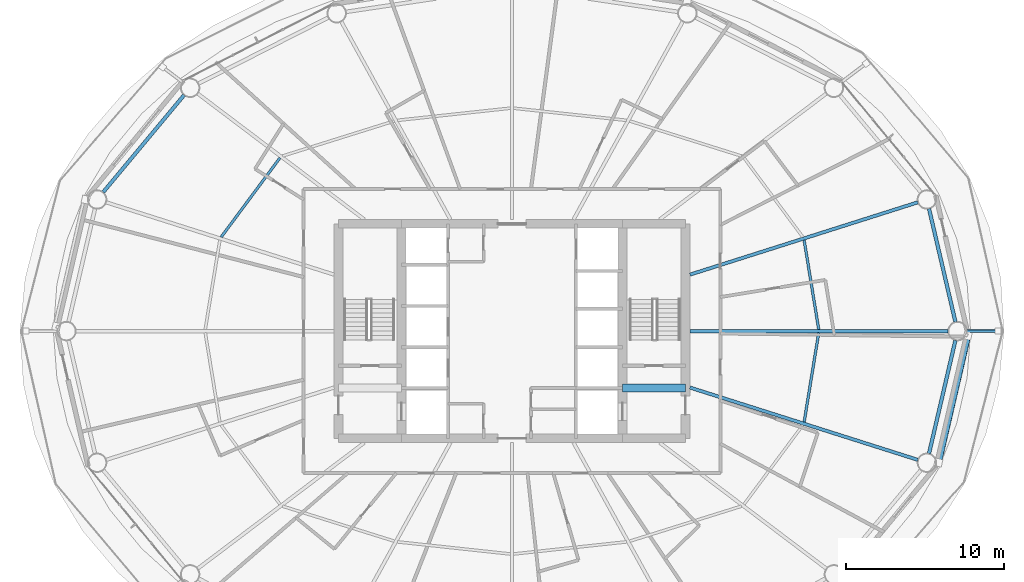
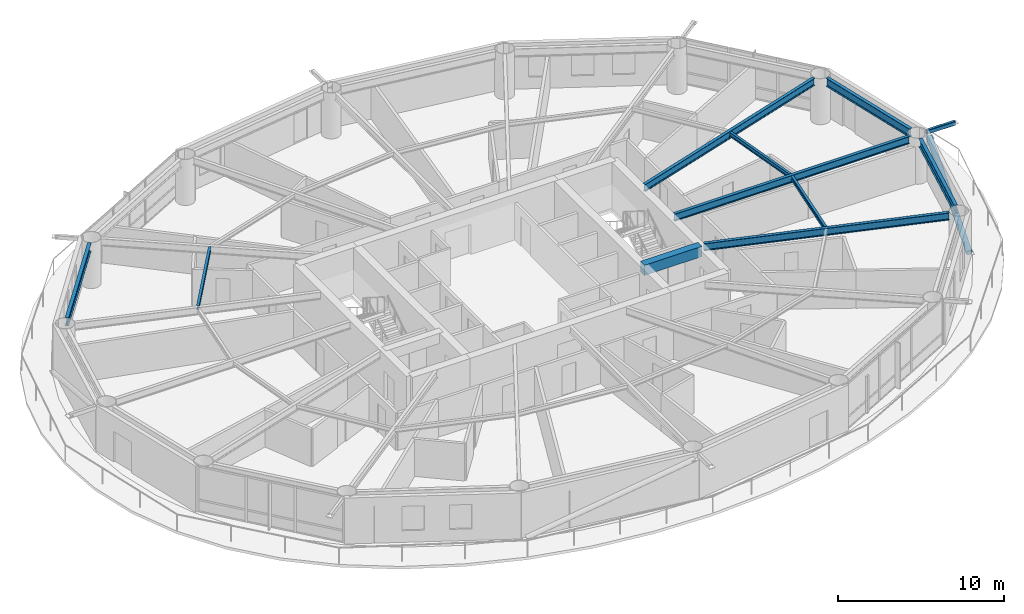
# One storey, part 7 of 24: 10 beams, 2 members.
"""IFC4 building model written with IfcOpenShell, lengths in metres."""

from ifc_helpers import new_model, si_unit, direction, frame, origin, origin_2d, place, context, subcontext, project, spatial, rectangle, hollow_rectangle, hollow_circle, i_section, extrude, material, material_profile, profile_set, type_object, element, save


model = new_model("IFC4")

# Units and contexts
model_context = context("Model", 3, precision=1e-05, world=origin(), true_north=direction((0.0, 1.0)))
body_context = subcontext(model_context, "Body", "Model", "MODEL_VIEW")
ifc_project = project(units=[si_unit("LENGTHUNIT", "METRE"), si_unit("AREAUNIT", "SQUARE_METRE"), si_unit("VOLUMEUNIT", "CUBIC_METRE"), si_unit("PLANEANGLEUNIT", "RADIAN"), si_unit("MASSUNIT", "GRAM", prefix="KILO")], contexts=[model_context])

# Site, building, storey
site_placement = place(None, origin())
site = spatial("IfcSite", under=ifc_project, at=site_placement, CompositionType="ELEMENT")
building_placement = place(site_placement, origin())
building = spatial("IfcBuilding", under=site, at=building_placement, Name="Sarneth Arch Tower", CompositionType="ELEMENT")
storey_placement = place(building_placement, frame((0.0, 0.0, 105.60009765625)))
storey = spatial("IfcBuildingStorey", under=building, at=storey_placement, Name="L26", CompositionType="ELEMENT", Elevation=105.60009765625)

# Beams
ifc_material_1 = material(Name="Steel S355", Category="steel")
ifc_material_profile_1 = material_profile(ifc_material_1, i_section(OverallWidth=0.1669921875, OverallDepth=0.31689453125, WebThickness=0.007568359375, FlangeThickness=0.01318359375, FilletRadius=0.012939453125, at=origin_2d()), Name="W310x52")
ifc_profile_set_1 = profile_set([ifc_material_profile_1], Name="Steel S355")
beam_type_1 = type_object("IfcBeamType", Name="BM-JOIST-310B", PredefinedType="JOIST", material=ifc_profile_set_1)
beam_1_placement = place(storey_placement, frame((67.438720703125, 42.10400390625, 3.221435546875), z_axis=(-0.16118181609, 0.986924729735, 0.0), x_axis=(-0.986924729735, -0.16118181609, 0.0)))
element("IfcBeam", 1, at=beam_1_placement, inside=storey, type_object=beam_type_1, Name="L26 Secondary floor joist 01", PredefinedType="JOIST", context=body_context, shape_type="SweptSolid", body=[
    extrude(i_section(OverallWidth=0.1669921875, OverallDepth=0.31689453125, WebThickness=0.007568359375, FlangeThickness=0.01318359375, FilletRadius=0.012939453125, at=origin_2d()), origin(), (0.0, 0.0, 1.0), 5.736083984375),
])
beam_2_placement = place(storey_placement, frame((33.296630859375, 52.9794921875, 3.221435546875), z_axis=(-0.596098474255, -0.802911333206, 0.0), x_axis=(0.802911333206, -0.596098474255, 0.0)))
element("IfcBeam", 2, at=beam_2_placement, inside=storey, type_object=beam_type_1, Name="L26 Secondary floor joist 07", PredefinedType="JOIST", context=body_context, shape_type="SweptSolid", body=[
    extrude(i_section(OverallWidth=0.1669921875, OverallDepth=0.31689453125, WebThickness=0.007568359375, FlangeThickness=0.01318359375, FilletRadius=0.012939453125, at=origin_2d()), origin(), (0.0, 0.0, 1.0), 6.259033203125),
])
beam_3_placement = place(storey_placement, frame((66.51416015625, 36.23486328125, 3.221435546875), z_axis=(0.16118181609, 0.986924729735, 0.0), x_axis=(-0.986924729735, 0.16118181609, 0.0)))
element("IfcBeam", 3, at=beam_3_placement, inside=storey, type_object=beam_type_1, Name="L26 Secondary floor joist 16", PredefinedType="JOIST", context=body_context, shape_type="SweptSolid", body=[
    extrude(i_section(OverallWidth=0.1669921875, OverallDepth=0.31689453125, WebThickness=0.007568359375, FlangeThickness=0.01318359375, FilletRadius=0.012939453125, at=origin_2d()), origin(), (0.0, 0.0, 1.0), 5.736083984375),
])
ifc_material_2 = material(Name="Concrete C50/60", Category="concrete")
ifc_material_profile_2 = material_profile(ifc_material_2, rectangle(XDim=0.5, YDim=0.75, at=origin_2d()), Name="RC-500x750")
ifc_profile_set_2 = profile_set([ifc_material_profile_2], Name="Concrete C50/60")
beam_type_2 = type_object("IfcBeamType", Name="BM-LINTEL-RC", PredefinedType="LINTEL", material=ifc_profile_set_2)
beam_4_placement = place(storey_placement, frame((55.0, 38.39990234375, 3.0048828125), z_axis=(1.0, 0.0, 0.0), x_axis=(0.0, 1.0, 0.0)))
element("IfcBeam", 4, at=beam_4_placement, inside=storey, type_object=beam_type_2, Name="L26 Core coupling lintel E", PredefinedType="LINTEL", context=body_context, shape_type="SweptSolid", body=[
    extrude(rectangle(XDim=0.5, YDim=0.75, at=origin_2d()), origin(), (0.0, 0.0, 1.0), 4.0),
])
ifc_material_3 = material(Name="Steel S355", Category="steel")
ifc_material_profile_3 = material_profile(ifc_material_3, i_section(OverallWidth=0.2109375, OverallDepth=0.5390625, WebThickness=0.01171875, FlangeThickness=0.018798828125, FilletRadius=0.01806640625, at=origin_2d()), Name="W530x109")
ifc_profile_set_3 = profile_set([ifc_material_profile_3], Name="Steel S355")
beam_type_3 = type_object("IfcBeamType", Name="BM-RAD-530B", PredefinedType="BEAM", material=ifc_profile_set_3)
beam_5_placement = place(storey_placement, frame((59.27490234375, 42.0, 3.1103515625), z_axis=(1.0, 0.0, 0.0), x_axis=(0.0, 1.0, 0.0)))
element("IfcBeam", 5, at=beam_5_placement, inside=storey, type_object=beam_type_3, Name="L26 Radial floor girder 01", PredefinedType="BEAM", context=body_context, shape_type="SweptSolid", body=[
    extrude(i_section(OverallWidth=0.2109375, OverallDepth=0.5390625, WebThickness=0.01171875, FlangeThickness=0.018798828125, FilletRadius=0.01806640625, at=origin_2d()), origin(), (0.0, 0.0, 1.0), 16.36181640625),
])
for number, where, z_axis, x_axis, name in (
    (6, (59.27490234375, 45.57763671875, 3.1103515625), (0.953162461637, 0.302458793435, 0.0), (-0.302458793435, 0.953162461637, 0.0), "L26 Radial floor girder 02"),
    (7, (59.27490234375, 38.42236328125, 3.1103515625), (0.953162461637, -0.302458793435, 0.0), (0.302458793435, 0.953162461637, 0.0), "L26 Radial floor girder 16"),
):
    element("IfcBeam", number, at=place(storey_placement, frame(where, z_axis=z_axis, x_axis=x_axis)), inside=storey, type_object=beam_type_3, Name=name, PredefinedType="BEAM", context=body_context, shape_type="SweptSolid", body=[
        extrude(i_section(OverallWidth=0.2109375, OverallDepth=0.5390625, WebThickness=0.01171875, FlangeThickness=0.018798828125, FilletRadius=0.01806640625, at=origin_2d()), origin(), (0.0, 0.0, 1.0), 15.154052734375),
    ])
ifc_material_4 = material(Name="Steel S355", Category="steel")
ifc_material_profile_4 = material_profile(ifc_material_4, i_section(OverallWidth=0.22900390625, OverallDepth=0.612060546875, WebThickness=0.011962890625, FlangeThickness=0.01953125, FilletRadius=0.01904296875, at=origin_2d()), Name="W610x125")
ifc_profile_set_4 = profile_set([ifc_material_profile_4], Name="Steel S355")
beam_type_4 = type_object("IfcBeamType", Name="BM-SPAN-610C", PredefinedType="SPANDREL", material=ifc_profile_set_4)
beam_6_placement = place(storey_placement, frame((76.100341796875, 42.584228515625, 3.073974609375), z_axis=(-0.227088175252, 0.973874201661, 0.0), x_axis=(-0.973874201661, -0.227088175252, 0.0)))
element("IfcBeam", 8, at=beam_6_placement, inside=storey, type_object=beam_type_4, Name="L26 Perimeter spandrel beam 01", PredefinedType="SPANDREL", context=body_context, shape_type="SweptSolid", body=[
    extrude(i_section(OverallWidth=0.22900390625, OverallDepth=0.612060546875, WebThickness=0.011962890625, FlangeThickness=0.01953125, FilletRadius=0.01904296875, at=origin_2d()), origin(), (0.0, 0.0, 1.0), 7.366455078125),
])
beam_7_placement = place(storey_placement, frame((27.21826171875, 56.9541015625, 3.073974609375), z_axis=(-0.640163403463, -0.768238775946, 0.0), x_axis=(0.768238775946, -0.640163403463, 0.0)))
element("IfcBeam", 9, at=beam_7_placement, inside=storey, type_object=beam_type_4, Name="L26 Perimeter spandrel beam 07", PredefinedType="SPANDREL", context=body_context, shape_type="SweptSolid", body=[
    extrude(i_section(OverallWidth=0.22900390625, OverallDepth=0.612060546875, WebThickness=0.011962890625, FlangeThickness=0.01953125, FilletRadius=0.01904296875, at=origin_2d()), origin(), (0.0, 0.0, 1.0), 8.006103515625),
])
beam_8_placement = place(storey_placement, frame((74.427490234375, 34.24169921875, 3.073974609375), z_axis=(0.227088175252, 0.973874201661, 0.0), x_axis=(-0.973874201661, 0.227088175252, 0.0)))
element("IfcBeam", 10, at=beam_8_placement, inside=storey, type_object=beam_type_4, Name="L26 Perimeter spandrel beam 16", PredefinedType="SPANDREL", context=body_context, shape_type="SweptSolid", body=[
    extrude(i_section(OverallWidth=0.22900390625, OverallDepth=0.612060546875, WebThickness=0.011962890625, FlangeThickness=0.01953125, FilletRadius=0.01904296875, at=origin_2d()), origin(), (0.0, 0.0, 1.0), 7.366455078125),
])

# Members
ifc_material_5 = material(Name="Steel S355", Category="steel")
ifc_material_profile_5 = material_profile(ifc_material_5, hollow_rectangle(XDim=0.199951171875, YDim=0.300048828125, WallThickness=0.012451171875, InnerFilletRadius=0.018798828125, OuterFilletRadius=0.03125, at=origin_2d()), Name="RHS300x200x12.5")
ifc_profile_set_5 = profile_set([ifc_material_profile_5], Name="Steel S355")
member_type_1 = type_object("IfcMemberType", Name="MEM-CANT-STRUT", PredefinedType="STRUT", material=ifc_profile_set_5)
member_1_placement = place(storey_placement, frame((76.836669921875, 42.0, 3.219970703125), z_axis=(1.0, 0.0, 0.0), x_axis=(0.0, 1.0, 0.0)))
element("IfcMember", 11, at=member_1_placement, inside=storey, type_object=member_type_1, Name="L26 Balcony cantilever bracket 01", PredefinedType="STRUT", context=body_context, shape_type="SweptSolid", body=[
    extrude(hollow_rectangle(XDim=0.199951171875, YDim=0.300048828125, WallThickness=0.012451171875, InnerFilletRadius=0.018798828125, OuterFilletRadius=0.03125, at=origin_2d()), origin(), (0.0, 0.0, 1.0), 1.97265625),
])
ifc_material_6 = material(Name="Steel S355", Category="steel")
ifc_material_profile_6 = material_profile(ifc_material_6, hollow_circle(Radius=0.202880859375, WallThickness=0.01611328125, at=origin_2d()), Name="CHS406x16")
ifc_profile_set_6 = profile_set([ifc_material_profile_6], Name="Steel S355")
member_type_2 = type_object("IfcMemberType", Name="MEM-DIAG-BR2", PredefinedType="BRACE", material=ifc_profile_set_6)
member_2_placement = place(storey_placement, frame((75.01953125, 33.67041015625, 0.02001953125), z_axis=(0.211851767223, 0.915872886243, 0.341021531532), x_axis=(-0.974275349464, 0.225360918143, 0.0)))
element("IfcMember", 12, at=member_2_placement, inside=storey, type_object=member_type_2, Name="L26 Perimeter frame diagonal 16", PredefinedType="BRACE", context=body_context, shape_type="SweptSolid", body=[
    extrude(hollow_circle(Radius=0.202880859375, WallThickness=0.01611328125, at=origin_2d()), origin(), (0.0, 0.0, 1.0), 8.775634765625),
])

save(model, "model.ifc")
